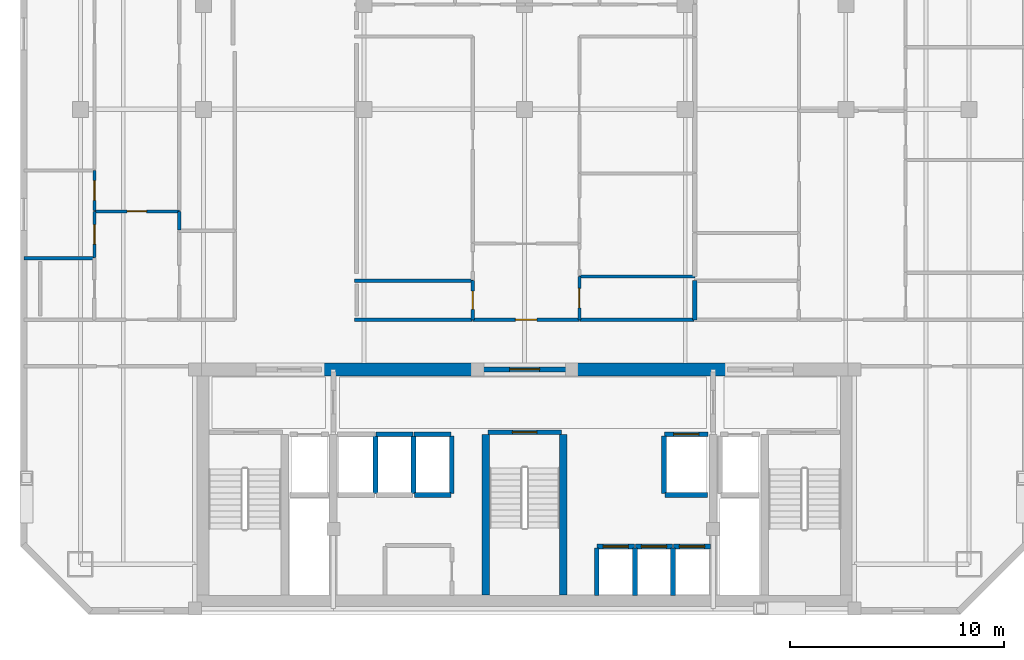
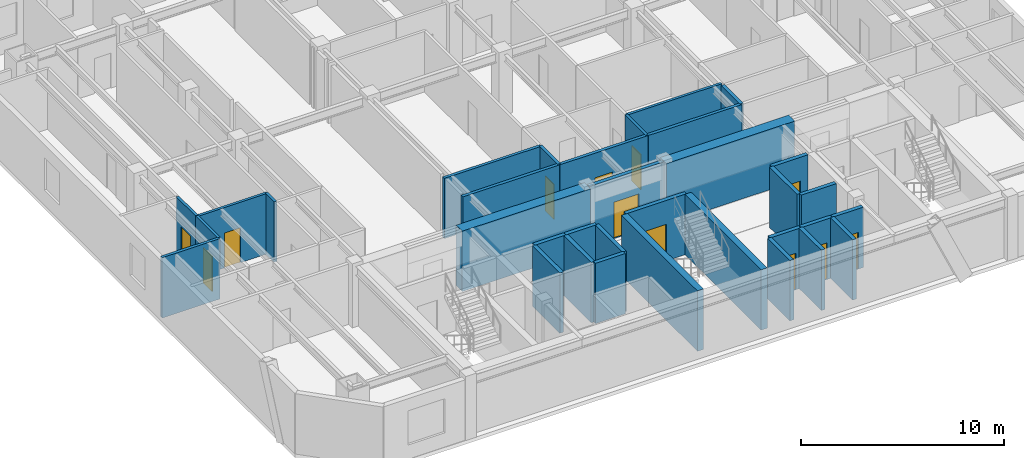
# One storey, part 3 of 8: 34 walls, 12 doors, 12 openings.
"""IFC4 building model written with IfcOpenShell, lengths in metres."""

from ifc_helpers import new_model, si_unit, direction, frame, frame_2d, origin, place, context, subcontext, project, spatial, rectangle, extrude, material, layer, layer_set, type_object, element, fill, save


model = new_model("IFC4")

# Units and contexts
model_context = context("Model", 3, precision=1e-05, world=origin(), true_north=direction((0.0, 1.0)))
body_context = subcontext(model_context, "Body", "Model", "MODEL_VIEW")
ifc_project = project(units=[si_unit("LENGTHUNIT", "METRE"), si_unit("AREAUNIT", "SQUARE_METRE"), si_unit("VOLUMEUNIT", "CUBIC_METRE"), si_unit("PLANEANGLEUNIT", "RADIAN"), si_unit("MASSUNIT", "GRAM", prefix="KILO")], contexts=[model_context])

# Site, building, storey
site_placement = place(None, origin())
site = spatial("IfcSite", under=ifc_project, at=site_placement, CompositionType="ELEMENT")
building_placement = place(site_placement, origin())
building = spatial("IfcBuilding", under=site, at=building_placement, Name="Ventersveld Concourse Tower", CompositionType="ELEMENT")
storey_placement = place(building_placement, frame((0.0, 0.0, 192.60009765625)))
storey = spatial("IfcBuildingStorey", under=building, at=storey_placement, Name="L47", CompositionType="ELEMENT", Elevation=192.60009765625)

# Walls
ifc_material_1 = material(Name="Concrete C50/60", Category="concrete")
ifc_layer_1 = layer(ifc_material_1, 0.35009765625)
ifc_layer_set_1 = layer_set([ifc_layer_1], Name="Concrete C50/60")
wall_type_1 = type_object("IfcWallType", Name="WL-CORE-350U", PredefinedType="SHEAR", material=ifc_layer_set_1)
for number, where, z_axis, x_axis, name in (
    (1, (26.93994140625, 0.919921875, 0.0), (0.0, 0.0, 1.0), (0.0, 1.0, 0.0), "L47 Core Internal Shear Web W-ST3-W"),
    (2, (30.56005859375, 0.919921875, 0.0), (0.0, 0.0, 1.0), (0.0, 1.0, 0.0), "L47 Core Internal Shear Web W-ST3-E"),
):
    element("IfcWall", number, at=place(storey_placement, frame(where, z_axis=z_axis, x_axis=x_axis)), inside=storey, type_object=wall_type_1, Name=name, PredefinedType="SHEAR", context=body_context, shape_type="SweptSolid", body=[
        extrude(rectangle(XDim=7.5, YDim=0.35009765625, at=frame_2d((3.75, 0.0))), origin(), (0.0, 0.0, 1.0), 3.6298828125),
    ])
ifc_layer_2 = layer(ifc_material_1, 0.60009765625)
ifc_layer_set_2 = layer_set([ifc_layer_2], Name="Concrete C50/60")
wall_type_2 = type_object("IfcWallType", Name="WL-CORE-600", PredefinedType="SHEAR", material=ifc_layer_set_2)
for number, where, z_axis, x_axis, name in (
    (3, (19.300048828125, 11.449951171875, 0.0), (0.0, 0.0, 1.0), (1.0, 0.0, 0.0), "L47 Rear Core North Shear Wall NML"),
    (4, (30.89990234375, 11.449951171875, 0.0), (0.0, 0.0, 1.0), (1.0, 0.0, 0.0), "L47 Rear Core North Shear Wall NMR"),
):
    element("IfcWall", number, at=place(storey_placement, frame(where, z_axis=z_axis, x_axis=x_axis)), inside=storey, type_object=wall_type_2, Name=name, PredefinedType="SHEAR", context=body_context, shape_type="SweptSolid", body=[
        extrude(rectangle(XDim=7.300048828125, YDim=0.60009765625, at=frame_2d((3.64990234375, 0.0))), origin(), (0.0, 0.0, 1.0), 3.6298828125),
    ])

# Wall, opening, door
ifc_material_2 = material(Name="Fire-rated autoclaved aerated masonry blockwork", Category="masonry")
ifc_layer_3 = layer(ifc_material_2, 0.179931640625)
ifc_layer_set_3 = layer_set([ifc_layer_3], Name="Fire-rated autoclaved aerated masonry blockwork")
wall_type_3 = type_object("IfcWallType", Name="WL-CORR-180", PredefinedType="PARTITIONING", material=ifc_layer_set_3)
wall_1_placement = place(storey_placement, frame((26.3203125, 13.77001953125, 0.0), z_axis=(0.0, 0.0, 1.0), x_axis=(1.0, 0.0, 0.0)))
wall_1 = element("IfcWall", 5, at=wall_1_placement, inside=storey, type_object=wall_type_3, Name="L47 Interior Partition SP-L47-COR-SP-L47-47CM-FOY", PredefinedType="PARTITIONING", context=body_context, shape_type="SweptSolid", body=[
    extrude(rectangle(XDim=4.989990234375, YDim=0.179931640625, at=frame_2d((2.4951171875, 0.0))), origin(), (0.0, 0.0, 1.0), 3.6298828125),
])
opening_1_placement = place(wall_1_placement, frame((1.9951171875, 0.0, 0.0)))
opening_1 = element("IfcOpeningElement", 6, at=opening_1_placement, cuts=wall_1, Name="Opening FD3", PredefinedType="OPENING", context=body_context, shape_type="SweptSolid", body=[
    extrude(rectangle(XDim=1.0, YDim=2.14990234375, at=frame_2d((0.5, 1.074951171875))), frame((0.0, 0.10009765625, 0.0), z_axis=(0.0, -1.0, 0.0), x_axis=(1.0, 0.0, 0.0)), (0.0, 0.0, 1.0), 0.199951171875),
])
ifc_material_3 = material(Name="Solid-core hardwood veneer timber", Category="wood")
door_type_1 = type_object("IfcDoorType", Name="DR-FLAT-100", OperationType="NOTDEFINED", PredefinedType="DOOR", material=ifc_material_3)
door_1_placement = place(opening_1_placement, origin())
door_1 = element("IfcDoor", 7, at=door_1_placement, inside=storey, type_object=door_type_1, Name="L47 Interior Door SP-L47-COR to SP-L47-47CM-FOY (FD-L47-2300)", OperationType="SINGLE_SWING_RIGHT", OverallHeight=2.14990234375, OverallWidth=1.0, PredefinedType="DOOR", context=body_context, shape_type="SweptSolid", body=[
    extrude(rectangle(XDim=1.0, YDim=2.14990234375, at=frame_2d((0.5, 1.074951171875))), frame((0.0, 0.02490234375, 0.0), z_axis=(0.0, -1.0, 0.0), x_axis=(1.0, 0.0, 0.0)), (0.0, 0.0, 1.0), 0.050048828125),
])
fill(opening_1, door_1)

# Walls
wall_2_placement = place(storey_placement, frame((20.804931640625, 13.77001953125, 0.0), z_axis=(0.0, 0.0, 1.0), x_axis=(1.0, 0.0, 0.0)))
element("IfcWall", 8, at=wall_2_placement, inside=storey, type_object=wall_type_3, Name="L47 Interior Partition SP-L47-COR-SP-L47-47CM-BATH", PredefinedType="PARTITIONING", context=body_context, shape_type="SweptSolid", body=[
    extrude(rectangle(XDim=5.4853515625, YDim=0.179931640625, at=frame_2d((2.74267578125, 0.0))), origin(), (0.0, 0.0, 1.0), 3.6298828125),
])
wall_3_placement = place(storey_placement, frame((31.34033203125, 13.77001953125, 0.0), z_axis=(0.0, 0.0, 1.0), x_axis=(1.0, 0.0, 0.0)))
element("IfcWall", 9, at=wall_3_placement, inside=storey, type_object=wall_type_3, Name="L47 Interior Partition SP-L47-COR-SP-L47-47CM-KIT", PredefinedType="PARTITIONING", context=body_context, shape_type="SweptSolid", body=[
    extrude(rectangle(XDim=5.314697265625, YDim=0.179931640625, at=frame_2d((2.6572265625, 0.0))), origin(), (0.0, 0.0, 1.0), 3.6298828125),
])
ifc_layer_4 = layer(ifc_material_2, 0.199951171875)
ifc_layer_set_4 = layer_set([ifc_layer_4], Name="Fire-rated autoclaved aerated masonry blockwork")
wall_type_4 = type_object("IfcWallType", Name="WL-DEMISE-200", PredefinedType="PARTITIONING", material=ifc_layer_set_4)
wall_4_placement = place(storey_placement, frame((36.68994140625, 13.764892578125, 0.0), z_axis=(0.0, 0.0, 1.0), x_axis=(0.0, 1.0, 0.0)))
element("IfcWall", 10, at=wall_4_placement, inside=storey, type_object=wall_type_4, Name="L47 Interior Partition SP-L47-47CE-BATH-SP-L47-47CM-KIT", PredefinedType="PARTITIONING", context=body_context, shape_type="SweptSolid", body=[
    extrude(rectangle(XDim=1.840087890625, YDim=0.199951171875, at=frame_2d((0.919921875, 0.0))), origin(), (0.0, 0.0, 1.0), 3.6298828125),
])
ifc_layer_5 = layer(ifc_material_2, 0.219970703125)
ifc_layer_set_5 = layer_set([ifc_layer_5], Name="Fire-rated autoclaved aerated masonry blockwork")
wall_type_5 = type_object("IfcWallType", Name="WL-HOIST-220", PredefinedType="SOLIDWALL", material=ifc_layer_set_5)
wall_5_placement = place(storey_placement, frame((35.300048828125, 5.590087890625, 0.0), z_axis=(0.0, 0.0, 1.0), x_axis=(1.0, 0.0, 0.0)))
element("IfcWall", 11, at=wall_5_placement, inside=storey, type_object=wall_type_5, Name="L47 Lift Hoistway Back Wall SVL-01", PredefinedType="SOLIDWALL", context=body_context, shape_type="SweptSolid", body=[
    extrude(rectangle(XDim=2.0, YDim=0.219970703125, at=frame_2d((1.0, 0.0))), origin(), (0.0, 0.0, 1.0), 3.6298828125),
])
wall_6_placement = place(storey_placement, frame((35.260009765625, 5.64990234375, 0.0), z_axis=(0.0, 0.0, 1.0), x_axis=(0.0, 1.0, 0.0)))
element("IfcWall", 12, at=wall_6_placement, inside=storey, type_object=wall_type_5, Name="L47 Lift Hoistway Side Wall SVL-01W", PredefinedType="SOLIDWALL", context=body_context, shape_type="SweptSolid", body=[
    extrude(rectangle(XDim=2.7001953125, YDim=0.219970703125, at=frame_2d((1.35009765625, 0.0))), origin(), (0.0, 0.0, 1.0), 3.6298828125),
])

# Wall, opening, door
wall_7_placement = place(storey_placement, frame((35.280029296875, 8.429931640625, 0.0), z_axis=(0.0, 0.0, 1.0), x_axis=(1.0, 0.0, 0.0)))
wall_7 = element("IfcWall", 13, at=wall_7_placement, inside=storey, type_object=wall_type_5, Name="L47 Lift Hoistway Front Wall SVL-01", PredefinedType="SOLIDWALL", context=body_context, shape_type="SweptSolid", body=[
    extrude(rectangle(XDim=2.0400390625, YDim=0.219970703125, at=frame_2d((1.02001953125, 0.0))), origin(), (0.0, 0.0, 1.0), 3.6298828125),
])
opening_2_placement = place(wall_7_placement, frame((0.429931640625, 0.0, 0.0)))
opening_2 = element("IfcOpeningElement", 14, at=opening_2_placement, cuts=wall_7, Name="Opening LD2", PredefinedType="OPENING", context=body_context, shape_type="SweptSolid", body=[
    extrude(rectangle(XDim=1.179931640625, YDim=2.199951171875, at=frame_2d((0.58984375, 1.10009765625))), frame((0.0, 0.1201171875, 0.0), z_axis=(0.0, -1.0, 0.0), x_axis=(1.0, 0.0, 0.0)), (0.0, 0.0, 1.0), 0.239990234375),
])
ifc_material_4 = material(Name="Brushed stainless steel 316", Category="steel")
door_type_2 = type_object("IfcDoorType", Name="LD-PAX-118", OperationType="SLIDING_TO_LEFT", PredefinedType="DOOR", material=ifc_material_4)
door_2_placement = place(opening_2_placement, origin())
door_2 = element("IfcDoor", 15, at=door_2_placement, inside=storey, type_object=door_type_2, Name="L47 Lift landing door SVL-01 (LD-L47-SVL-01)", OperationType="SLIDING_TO_LEFT", OverallHeight=2.199951171875, OverallWidth=1.179931640625, PredefinedType="DOOR", context=body_context, shape_type="SweptSolid", body=[
    extrude(rectangle(XDim=1.179931640625, YDim=2.199951171875, at=frame_2d((0.58984375, 1.10009765625))), frame((0.0, 0.02490234375, 0.0), z_axis=(0.0, -1.0, 0.0), x_axis=(1.0, 0.0, 0.0)), (0.0, 0.0, 1.0), 0.050048828125),
])
fill(opening_2, door_2)

# Walls
for number, where, z_axis, x_axis, name in (
    (16, (32.1201171875, 0.89990234375, 0.0), (0.0, 0.0, 1.0), (0.0, 1.0, 0.0), "L47 Lift Hoistway Side Wall PM-01W"),
    (17, (33.89990234375, 0.89990234375, 0.0), (0.0, 0.0, 1.0), (0.0, 1.0, 0.0), "L47 Lift Hoistway Side Wall PM-01E"),
):
    element("IfcWall", number, at=place(storey_placement, frame(where, z_axis=z_axis, x_axis=x_axis)), inside=storey, type_object=wall_type_5, Name=name, PredefinedType="SOLIDWALL", context=body_context, shape_type="SweptSolid", body=[
        extrude(rectangle(XDim=2.2001953125, YDim=0.219970703125, at=frame_2d((1.10009765625, 0.0))), origin(), (0.0, 0.0, 1.0), 3.6298828125),
    ])

# Wall, opening, door
wall_8_placement = place(storey_placement, frame((32.139892578125, 3.179931640625, 0.0), z_axis=(0.0, 0.0, 1.0), x_axis=(1.0, 0.0, 0.0)))
wall_8 = element("IfcWall", 18, at=wall_8_placement, inside=storey, type_object=wall_type_5, Name="L47 Lift Hoistway Front Wall PM-01", PredefinedType="SOLIDWALL", context=body_context, shape_type="SweptSolid", body=[
    extrude(rectangle(XDim=1.739990234375, YDim=0.219970703125, at=frame_2d((0.8701171875, 0.0))), origin(), (0.0, 0.0, 1.0), 3.6298828125),
])
opening_3_placement = place(wall_8_placement, frame((0.280029296875, 0.0, 0.0)))
opening_3 = element("IfcOpeningElement", 19, at=opening_3_placement, cuts=wall_8, Name="Opening LD2", PredefinedType="OPENING", context=body_context, shape_type="SweptSolid", body=[
    extrude(rectangle(XDim=1.179931640625, YDim=2.199951171875, at=frame_2d((0.58984375, 1.10009765625))), frame((0.0, 0.1201171875, 0.0), z_axis=(0.0, -1.0, 0.0), x_axis=(1.0, 0.0, 0.0)), (0.0, 0.0, 1.0), 0.239990234375),
])
door_3_placement = place(opening_3_placement, origin())
door_3 = element("IfcDoor", 20, at=door_3_placement, inside=storey, type_object=door_type_2, Name="L47 Lift landing door PM-01 (LD-L47-PM-01)", OperationType="SLIDING_TO_RIGHT", OverallHeight=2.199951171875, OverallWidth=1.179931640625, PredefinedType="DOOR", context=body_context, shape_type="SweptSolid", body=[
    extrude(rectangle(XDim=1.179931640625, YDim=2.199951171875, at=frame_2d((0.58984375, 1.10009765625))), frame((0.0, 0.02490234375, 0.0), z_axis=(0.0, -1.0, 0.0), x_axis=(1.0, 0.0, 0.0)), (0.0, 0.0, 1.0), 0.050048828125),
])
fill(opening_3, door_3)

# Wall
wall_9_placement = place(storey_placement, frame((35.679931640625, 0.89990234375, 0.0), z_axis=(0.0, 0.0, 1.0), x_axis=(0.0, 1.0, 0.0)))
element("IfcWall", 21, at=wall_9_placement, inside=storey, type_object=wall_type_5, Name="L47 Lift Hoistway Side Wall PM-02E", PredefinedType="SOLIDWALL", context=body_context, shape_type="SweptSolid", body=[
    extrude(rectangle(XDim=2.2001953125, YDim=0.219970703125, at=frame_2d((1.10009765625, 0.0))), origin(), (0.0, 0.0, 1.0), 3.6298828125),
])

# Wall, opening, door
wall_10_placement = place(storey_placement, frame((33.919921875, 3.179931640625, 0.0), z_axis=(0.0, 0.0, 1.0), x_axis=(1.0, 0.0, 0.0)))
wall_10 = element("IfcWall", 22, at=wall_10_placement, inside=storey, type_object=wall_type_5, Name="L47 Lift Hoistway Front Wall PM-02", PredefinedType="SOLIDWALL", context=body_context, shape_type="SweptSolid", body=[
    extrude(rectangle(XDim=1.739990234375, YDim=0.219970703125, at=frame_2d((0.8701171875, 0.0))), origin(), (0.0, 0.0, 1.0), 3.6298828125),
])
opening_4_placement = place(wall_10_placement, frame((0.280029296875, 0.0, 0.0)))
opening_4 = element("IfcOpeningElement", 23, at=opening_4_placement, cuts=wall_10, Name="Opening LD2", PredefinedType="OPENING", context=body_context, shape_type="SweptSolid", body=[
    extrude(rectangle(XDim=1.179931640625, YDim=2.199951171875, at=frame_2d((0.58984375, 1.10009765625))), frame((0.0, 0.1201171875, 0.0), z_axis=(0.0, -1.0, 0.0), x_axis=(1.0, 0.0, 0.0)), (0.0, 0.0, 1.0), 0.239990234375),
])
door_4_placement = place(opening_4_placement, origin())
door_4 = element("IfcDoor", 24, at=door_4_placement, inside=storey, type_object=door_type_2, Name="L47 Lift landing door PM-02 (LD-L47-PM-02)", OperationType="SLIDING_TO_LEFT", OverallHeight=2.199951171875, OverallWidth=1.179931640625, PredefinedType="DOOR", context=body_context, shape_type="SweptSolid", body=[
    extrude(rectangle(XDim=1.179931640625, YDim=2.199951171875, at=frame_2d((0.58984375, 1.10009765625))), frame((0.0, 0.02490234375, 0.0), z_axis=(0.0, -1.0, 0.0), x_axis=(1.0, 0.0, 0.0)), (0.0, 0.0, 1.0), 0.050048828125),
])
fill(opening_4, door_4)

wall_11_placement = place(storey_placement, frame((35.699951171875, 3.179931640625, 0.0), z_axis=(0.0, 0.0, 1.0), x_axis=(1.0, 0.0, 0.0)))
wall_11 = element("IfcWall", 25, at=wall_11_placement, inside=storey, type_object=wall_type_5, Name="L47 Lift Hoistway Front Wall PM-03", PredefinedType="SOLIDWALL", context=body_context, shape_type="SweptSolid", body=[
    extrude(rectangle(XDim=1.739990234375, YDim=0.219970703125, at=frame_2d((0.8701171875, 0.0))), origin(), (0.0, 0.0, 1.0), 3.6298828125),
])
opening_5_placement = place(wall_11_placement, frame((0.280029296875, 0.0, 0.0)))
opening_5 = element("IfcOpeningElement", 26, at=opening_5_placement, cuts=wall_11, Name="Opening LD2", PredefinedType="OPENING", context=body_context, shape_type="SweptSolid", body=[
    extrude(rectangle(XDim=1.179931640625, YDim=2.199951171875, at=frame_2d((0.58984375, 1.10009765625))), frame((0.0, 0.1201171875, 0.0), z_axis=(0.0, -1.0, 0.0), x_axis=(1.0, 0.0, 0.0)), (0.0, 0.0, 1.0), 0.239990234375),
])
door_5_placement = place(opening_5_placement, origin())
door_5 = element("IfcDoor", 27, at=door_5_placement, inside=storey, type_object=door_type_2, Name="L47 Lift landing door PM-03 (LD-L47-PM-03)", OperationType="SLIDING_TO_RIGHT", OverallHeight=2.199951171875, OverallWidth=1.179931640625, PredefinedType="DOOR", context=body_context, shape_type="SweptSolid", body=[
    extrude(rectangle(XDim=1.179931640625, YDim=2.199951171875, at=frame_2d((0.58984375, 1.10009765625))), frame((0.0, 0.02490234375, 0.0), z_axis=(0.0, -1.0, 0.0), x_axis=(1.0, 0.0, 0.0)), (0.0, 0.0, 1.0), 0.050048828125),
])
fill(opening_5, door_5)

# Walls
for number, where, z_axis, x_axis, name in (
    (28, (21.780029296875, 5.64990234375, 0.0), (0.0, 0.0, 1.0), (0.0, 1.0, 0.0), "L47 Lift Hoistway Side Wall PH-01E"),
    (29, (23.56005859375, 5.64990234375, 0.0), (0.0, 0.0, 1.0), (0.0, 1.0, 0.0), "L47 Lift Hoistway Side Wall PH-02E"),
):
    element("IfcWall", number, at=place(storey_placement, frame(where, z_axis=z_axis, x_axis=x_axis)), inside=storey, type_object=wall_type_5, Name=name, PredefinedType="SOLIDWALL", context=body_context, shape_type="SweptSolid", body=[
        extrude(rectangle(XDim=2.7001953125, YDim=0.219970703125, at=frame_2d((1.35009765625, 0.0))), origin(), (0.0, 0.0, 1.0), 3.6298828125),
    ])
wall_12_placement = place(storey_placement, frame((21.800048828125, 8.429931640625, 0.0), z_axis=(0.0, 0.0, 1.0), x_axis=(1.0, 0.0, 0.0)))
element("IfcWall", 30, at=wall_12_placement, inside=storey, type_object=wall_type_5, Name="L47 Lift Hoistway Front Wall PH-02", PredefinedType="SOLIDWALL", context=body_context, shape_type="SweptSolid", body=[
    extrude(rectangle(XDim=1.739990234375, YDim=0.219970703125, at=frame_2d((0.8701171875, 0.0))), origin(), (0.0, 0.0, 1.0), 3.6298828125),
])
wall_13_placement = place(storey_placement, frame((23.60009765625, 5.590087890625, 0.0), z_axis=(0.0, 0.0, 1.0), x_axis=(1.0, 0.0, 0.0)))
element("IfcWall", 31, at=wall_13_placement, inside=storey, type_object=wall_type_5, Name="L47 Lift Hoistway Back Wall PH-03", PredefinedType="SOLIDWALL", context=body_context, shape_type="SweptSolid", body=[
    extrude(rectangle(XDim=1.699951171875, YDim=0.219970703125, at=frame_2d((0.85009765625, 0.0))), origin(), (0.0, 0.0, 1.0), 3.6298828125),
])
wall_14_placement = place(storey_placement, frame((25.340087890625, 5.64990234375, 0.0), z_axis=(0.0, 0.0, 1.0), x_axis=(0.0, 1.0, 0.0)))
element("IfcWall", 32, at=wall_14_placement, inside=storey, type_object=wall_type_5, Name="L47 Lift Hoistway Side Wall PH-03E", PredefinedType="SOLIDWALL", context=body_context, shape_type="SweptSolid", body=[
    extrude(rectangle(XDim=2.7001953125, YDim=0.219970703125, at=frame_2d((1.35009765625, 0.0))), origin(), (0.0, 0.0, 1.0), 3.6298828125),
])
wall_15_placement = place(storey_placement, frame((23.580078125, 8.429931640625, 0.0), z_axis=(0.0, 0.0, 1.0), x_axis=(1.0, 0.0, 0.0)))
element("IfcWall", 33, at=wall_15_placement, inside=storey, type_object=wall_type_5, Name="L47 Lift Hoistway Front Wall PH-03", PredefinedType="SOLIDWALL", context=body_context, shape_type="SweptSolid", body=[
    extrude(rectangle(XDim=1.739990234375, YDim=0.219970703125, at=frame_2d((0.8701171875, 0.0))), origin(), (0.0, 0.0, 1.0), 3.6298828125),
])

# Wall, opening, door
wall_16_placement = place(storey_placement, frame((27.0400390625, 8.52001953125, 0.0), z_axis=(0.0, 0.0, 1.0), x_axis=(1.0, 0.0, 0.0)))
wall_16 = element("IfcWall", 34, at=wall_16_placement, inside=storey, type_object=wall_type_5, Name="L47 Escape Stair ST03 Fire Wall", PredefinedType="SOLIDWALL", context=body_context, shape_type="SweptSolid", body=[
    extrude(rectangle(XDim=3.419921875, YDim=0.219970703125, at=frame_2d((1.7099609375, 0.0))), origin(), (0.0, 0.0, 1.0), 3.6298828125),
])
opening_6_placement = place(wall_16_placement, frame((1.135009765625, 0.0, 0.0)))
opening_6 = element("IfcOpeningElement", 35, at=opening_6_placement, cuts=wall_16, Name="Opening FD1", PredefinedType="OPENING", context=body_context, shape_type="SweptSolid", body=[
    extrude(rectangle(XDim=1.14990234375, YDim=2.199951171875, at=frame_2d((0.574951171875, 1.10009765625))), frame((0.0, 0.1201171875, 0.0), z_axis=(0.0, -1.0, 0.0), x_axis=(1.0, 0.0, 0.0)), (0.0, 0.0, 1.0), 0.239990234375),
])
ifc_material_5 = material(Name="Galvanised painted steel", Category="steel")
door_type_3 = type_object("IfcDoorType", Name="DR-STAIR-115", OperationType="NOTDEFINED", PredefinedType="DOOR", material=ifc_material_5)
door_6_placement = place(opening_6_placement, origin())
door_6 = element("IfcDoor", 36, at=door_6_placement, inside=storey, type_object=door_type_3, Name="L47 Escape Stair Door ST03 (SD-L47-2289)", OperationType="SINGLE_SWING_LEFT", OverallHeight=2.199951171875, OverallWidth=1.14990234375, PredefinedType="DOOR", context=body_context, shape_type="SweptSolid", body=[
    extrude(rectangle(XDim=1.14990234375, YDim=2.199951171875, at=frame_2d((0.574951171875, 1.10009765625))), frame((0.0, 0.02490234375, 0.0), z_axis=(0.0, -1.0, 0.0), x_axis=(1.0, 0.0, 0.0)), (0.0, 0.0, 1.0), 0.050048828125),
])
fill(opening_6, door_6)

wall_17_placement = place(storey_placement, frame((26.6298828125, 11.449951171875, 0.0), z_axis=(0.0, 0.0, 1.0), x_axis=(1.0, 0.0, 0.0)))
wall_17 = element("IfcWall", 37, at=wall_17_placement, inside=storey, type_object=wall_type_5, Name="L47 Core North Fire Portal PLOB-OUT", PredefinedType="SOLIDWALL", context=body_context, shape_type="SweptSolid", body=[
    extrude(rectangle(XDim=4.240234375, YDim=0.219970703125, at=frame_2d((2.1201171875, 0.0))), origin(), (0.0, 0.0, 1.0), 3.6298828125),
])
opening_7_placement = place(wall_17_placement, frame((1.419921875, 0.0, 0.0)))
opening_7 = element("IfcOpeningElement", 38, at=opening_7_placement, cuts=wall_17, Name="Opening FD4", PredefinedType="OPENING", context=body_context, shape_type="SweptSolid", body=[
    extrude(rectangle(XDim=1.39990234375, YDim=2.199951171875, at=frame_2d((0.699951171875, 1.10009765625))), frame((0.0, 0.1201171875, 0.0), z_axis=(0.0, -1.0, 0.0), x_axis=(1.0, 0.0, 0.0)), (0.0, 0.0, 1.0), 0.239990234375),
])
door_type_4 = type_object("IfcDoorType", Name="DR-PLANT-140", OperationType="DOUBLE_DOOR_SINGLE_SWING", PredefinedType="DOOR", material=ifc_material_5)
door_7_placement = place(opening_7_placement, origin())
door_7 = element("IfcDoor", 39, at=door_7_placement, inside=storey, type_object=door_type_4, Name="L47 Core Lobby Fire Door PLOB-OUT (FD-L47-2293)", OperationType="DOUBLE_DOOR_SINGLE_SWING", OverallHeight=2.199951171875, OverallWidth=1.39990234375, PredefinedType="DOOR", context=body_context, shape_type="SweptSolid", body=[
    extrude(rectangle(XDim=1.39990234375, YDim=2.199951171875, at=frame_2d((0.699951171875, 1.10009765625))), frame((0.0, 0.02490234375, 0.0), z_axis=(0.0, -1.0, 0.0), x_axis=(1.0, 0.0, 0.0)), (0.0, 0.0, 1.0), 0.050048828125),
])
fill(opening_7, door_7)

ifc_material_6 = material(Name="Autoclaved aerated masonry blockwork", Category="masonry")
ifc_layer_6 = layer(ifc_material_6, 0.14990234375)
ifc_layer_set_6 = layer_set([ifc_layer_6], Name="Autoclaved aerated masonry blockwork")
wall_type_6 = type_object("IfcWallType", Name="WL-INT-150", PredefinedType="PARTITIONING", material=ifc_layer_set_6)
wall_18_placement = place(storey_placement, frame((8.65380859375, 18.83349609375, 0.0), z_axis=(0.0, 0.0, 1.0), x_axis=(1.0, 0.0, 0.0)))
wall_18 = element("IfcWall", 40, at=wall_18_placement, inside=storey, type_object=wall_type_6, Name="L47 Interior Partition SP-L47-47NW-FOY-SP-L47-47NW-LIV", PredefinedType="PARTITIONING", context=body_context, shape_type="SweptSolid", body=[
    extrude(rectangle(XDim=3.969970703125, YDim=0.14990234375, at=frame_2d((1.98486328125, 0.0))), origin(), (0.0, 0.0, 1.0), 3.6298828125),
])
opening_8_placement = place(wall_18_placement, frame((1.52490234375, 0.0, 0.0)))
opening_8 = element("IfcOpeningElement", 41, at=opening_8_placement, cuts=wall_18, Name="Opening ID1", PredefinedType="OPENING", context=body_context, shape_type="SweptSolid", body=[
    extrude(rectangle(XDim=0.919921875, YDim=2.10009765625, at=frame_2d((0.4599609375, 1.050048828125))), frame((0.0, 0.0849609375, 0.0), z_axis=(0.0, -1.0, 0.0), x_axis=(1.0, 0.0, 0.0)), (0.0, 0.0, 1.0), 0.169921875),
])
door_type_5 = type_object("IfcDoorType", Name="DR-ROOM-092", OperationType="NOTDEFINED", PredefinedType="DOOR", material=ifc_material_3)
door_8_placement = place(opening_8_placement, origin())
door_8 = element("IfcDoor", 42, at=door_8_placement, inside=storey, type_object=door_type_5, Name="L47 Interior Door SP-L47-47NW-FOY to SP-L47-47NW-LIV (D-L47-2301)", OperationType="SINGLE_SWING_LEFT", OverallHeight=2.10009765625, OverallWidth=0.919921875, PredefinedType="DOOR", context=body_context, shape_type="SweptSolid", body=[
    extrude(rectangle(XDim=0.919921875, YDim=2.10009765625, at=frame_2d((0.4599609375, 1.050048828125))), frame((0.0, 0.02490234375, 0.0), z_axis=(0.0, -1.0, 0.0), x_axis=(1.0, 0.0, 0.0)), (0.0, 0.0, 1.0), 0.050048828125),
])
fill(opening_8, door_8)

wall_19_placement = place(storey_placement, frame((8.65869140625, 16.680419921875, 0.0), z_axis=(0.0, 0.0, 1.0), x_axis=(0.0, 1.0, 0.0)))
wall_19 = element("IfcWall", 43, at=wall_19_placement, inside=storey, type_object=wall_type_6, Name="L47 Interior Partition SP-L47-47NW-FOY-SP-L47-47NW-PANL0", PredefinedType="PARTITIONING", context=body_context, shape_type="SweptSolid", body=[
    extrude(rectangle(XDim=2.157958984375, YDim=0.14990234375, at=frame_2d((1.0791015625, 0.0))), origin(), (0.0, 0.0, 1.0), 3.6298828125),
])
opening_9_placement = place(wall_19_placement, frame((0.618896484375, 0.0, 0.0)))
opening_9 = element("IfcOpeningElement", 44, at=opening_9_placement, cuts=wall_19, Name="Opening ID1", PredefinedType="OPENING", context=body_context, shape_type="SweptSolid", body=[
    extrude(rectangle(XDim=0.919921875, YDim=2.10009765625, at=frame_2d((0.4599609375, 1.050048828125))), frame((0.0, 0.0849609375, 0.0), z_axis=(0.0, -1.0, 0.0), x_axis=(1.0, 0.0, 0.0)), (0.0, 0.0, 1.0), 0.169921875),
])
door_9_placement = place(opening_9_placement, origin())
door_9 = element("IfcDoor", 45, at=door_9_placement, inside=storey, type_object=door_type_5, Name="L47 Interior Door SP-L47-47NW-FOY to SP-L47-47NW-PANL0 (D-L47-2303)", OperationType="SINGLE_SWING_LEFT", OverallHeight=2.10009765625, OverallWidth=0.919921875, PredefinedType="DOOR", context=body_context, shape_type="SweptSolid", body=[
    extrude(rectangle(XDim=0.919921875, YDim=2.10009765625, at=frame_2d((0.4599609375, 1.050048828125))), frame((0.0, 0.02490234375, 0.0), z_axis=(0.0, -1.0, 0.0), x_axis=(1.0, 0.0, 0.0)), (0.0, 0.0, 1.0), 0.050048828125),
])
fill(opening_9, door_9)

# Wall
wall_20_placement = place(storey_placement, frame((12.61865234375, 17.96630859375, 0.0), z_axis=(0.0, 0.0, 1.0), x_axis=(0.0, 1.0, 0.0)))
element("IfcWall", 46, at=wall_20_placement, inside=storey, type_object=wall_type_6, Name="L47 Interior Partition SP-L47-47NW-FOY-SP-L47-47NW-MEDR1", PredefinedType="PARTITIONING", context=body_context, shape_type="SweptSolid", body=[
    extrude(rectangle(XDim=0.8720703125, YDim=0.14990234375, at=frame_2d((0.43603515625, 0.0))), origin(), (0.0, 0.0, 1.0), 3.6298828125),
])

# Wall, opening, door
wall_21_placement = place(storey_placement, frame((8.65869140625, 18.868408203125, 0.0), z_axis=(0.0, 0.0, 1.0), x_axis=(0.0, 1.0, 0.0)))
wall_21 = element("IfcWall", 47, at=wall_21_placement, inside=storey, type_object=wall_type_6, Name="L47 Interior Partition SP-L47-47NW-LIV-SP-L47-47NW-PANL0", PredefinedType="PARTITIONING", context=body_context, shape_type="SweptSolid", body=[
    extrude(rectangle(XDim=1.88232421875, YDim=0.14990234375, at=frame_2d((0.941162109375, 0.0))), origin(), (0.0, 0.0, 1.0), 3.6298828125),
])
opening_10_placement = place(wall_21_placement, frame((0.481201171875, 0.0, 0.0)))
opening_10 = element("IfcOpeningElement", 48, at=opening_10_placement, cuts=wall_21, Name="Opening ID1", PredefinedType="OPENING", context=body_context, shape_type="SweptSolid", body=[
    extrude(rectangle(XDim=0.919921875, YDim=2.10009765625, at=frame_2d((0.4599609375, 1.050048828125))), frame((0.0, 0.0849609375, 0.0), z_axis=(0.0, -1.0, 0.0), x_axis=(1.0, 0.0, 0.0)), (0.0, 0.0, 1.0), 0.169921875),
])
door_10_placement = place(opening_10_placement, origin())
door_10 = element("IfcDoor", 49, at=door_10_placement, inside=storey, type_object=door_type_5, Name="L47 Interior Door SP-L47-47NW-LIV to SP-L47-47NW-PANL0 (D-L47-2305)", OperationType="SINGLE_SWING_LEFT", OverallHeight=2.10009765625, OverallWidth=0.919921875, PredefinedType="DOOR", context=body_context, shape_type="SweptSolid", body=[
    extrude(rectangle(XDim=0.919921875, YDim=2.10009765625, at=frame_2d((0.4599609375, 1.050048828125))), frame((0.0, 0.02490234375, 0.0), z_axis=(0.0, -1.0, 0.0), x_axis=(1.0, 0.0, 0.0)), (0.0, 0.0, 1.0), 0.050048828125),
])
fill(opening_10, door_10)

wall_22_placement = place(storey_placement, frame((31.305419921875, 13.764892578125, 0.0), z_axis=(0.0, 0.0, 1.0), x_axis=(0.0, 1.0, 0.0)))
wall_22 = element("IfcWall", 50, at=wall_22_placement, inside=storey, type_object=wall_type_6, Name="L47 Interior Partition SP-L47-47CM-FOY-SP-L47-47CM-KIT", PredefinedType="PARTITIONING", context=body_context, shape_type="SweptSolid", body=[
    extrude(rectangle(XDim=2.03466796875, YDim=0.14990234375, at=frame_2d((1.017333984375, 0.0))), origin(), (0.0, 0.0, 1.0), 3.6298828125),
])
opening_11_placement = place(wall_22_placement, frame((0.55712890625, 0.0, 0.0)))
opening_11 = element("IfcOpeningElement", 51, at=opening_11_placement, cuts=wall_22, Name="Opening ID1", PredefinedType="OPENING", context=body_context, shape_type="SweptSolid", body=[
    extrude(rectangle(XDim=0.919921875, YDim=2.10009765625, at=frame_2d((0.4599609375, 1.050048828125))), frame((0.0, 0.0849609375, 0.0), z_axis=(0.0, -1.0, 0.0), x_axis=(1.0, 0.0, 0.0)), (0.0, 0.0, 1.0), 0.169921875),
])
door_11_placement = place(opening_11_placement, origin())
door_11 = element("IfcDoor", 52, at=door_11_placement, inside=storey, type_object=door_type_5, Name="L47 Interior Door SP-L47-47CM-FOY to SP-L47-47CM-KIT (D-L47-2325)", OperationType="SINGLE_SWING_LEFT", OverallHeight=2.10009765625, OverallWidth=0.919921875, PredefinedType="DOOR", context=body_context, shape_type="SweptSolid", body=[
    extrude(rectangle(XDim=0.919921875, YDim=2.10009765625, at=frame_2d((0.4599609375, 1.050048828125))), frame((0.0, 0.02490234375, 0.0), z_axis=(0.0, -1.0, 0.0), x_axis=(1.0, 0.0, 0.0)), (0.0, 0.0, 1.0), 0.050048828125),
])
fill(opening_11, door_11)

# Walls
wall_23_placement = place(storey_placement, frame((31.30029296875, 15.79443359375, 0.0), z_axis=(0.0, 0.0, 1.0), x_axis=(1.0, 0.0, 0.0)))
element("IfcWall", 53, at=wall_23_placement, inside=storey, type_object=wall_type_6, Name="L47 Interior Partition SP-L47-47CM-KIT-SP-L47-47CM-DENR", PredefinedType="PARTITIONING", context=body_context, shape_type="SweptSolid", body=[
    extrude(rectangle(XDim=5.394775390625, YDim=0.14990234375, at=frame_2d((2.697265625, 0.0))), origin(), (0.0, 0.0, 1.0), 3.6298828125),
])
ifc_layer_7 = layer(ifc_material_6, 0.1650390625)
ifc_layer_set_7 = layer_set([ifc_layer_7], Name="Autoclaved aerated masonry blockwork")
wall_type_7 = type_object("IfcWallType", Name="WL-WET-165", PredefinedType="PLUMBINGWALL", material=ifc_layer_set_7)
wall_24_placement = place(storey_placement, frame((5.37255859375, 16.645263671875, 0.0), z_axis=(0.0, 0.0, 1.0), x_axis=(1.0, 0.0, 0.0)))
element("IfcWall", 54, at=wall_24_placement, inside=storey, type_object=wall_type_7, Name="L47 Interior Partition SP-L47-47NW-BATH-SP-L47-47NW-PANL0", PredefinedType="PLUMBINGWALL", context=body_context, shape_type="SweptSolid", body=[
    extrude(rectangle(XDim=3.291259765625, YDim=0.1650390625, at=frame_2d((1.6455078125, 0.0))), origin(), (0.0, 0.0, 1.0), 3.6298828125),
])

# Wall, opening, door
wall_25_placement = place(storey_placement, frame((26.3251953125, 13.764892578125, 0.0), z_axis=(0.0, 0.0, 1.0), x_axis=(0.0, 1.0, 0.0)))
wall_25 = element("IfcWall", 55, at=wall_25_placement, inside=storey, type_object=wall_type_7, Name="L47 Interior Partition SP-L47-47CM-FOY-SP-L47-47CM-BATH", PredefinedType="PLUMBINGWALL", context=body_context, shape_type="SweptSolid", body=[
    extrude(rectangle(XDim=1.840087890625, YDim=0.1650390625, at=frame_2d((0.919921875, 0.0))), origin(), (0.0, 0.0, 1.0), 3.6298828125),
])
opening_12_placement = place(wall_25_placement, frame((0.4951171875, 0.0, 0.0)))
opening_12 = element("IfcOpeningElement", 56, at=opening_12_placement, cuts=wall_25, Name="Opening ID2", PredefinedType="OPENING", context=body_context, shape_type="SweptSolid", body=[
    extrude(rectangle(XDim=0.85009765625, YDim=2.10009765625, at=frame_2d((0.425048828125, 1.050048828125))), frame((0.0, 0.092529296875, 0.0), z_axis=(0.0, -1.0, 0.0), x_axis=(1.0, 0.0, 0.0)), (0.0, 0.0, 1.0), 0.18505859375),
])
door_type_6 = type_object("IfcDoorType", Name="DR-BATH-085", OperationType="NOTDEFINED", PredefinedType="DOOR", material=ifc_material_3)
door_12_placement = place(opening_12_placement, origin())
door_12 = element("IfcDoor", 57, at=door_12_placement, inside=storey, type_object=door_type_6, Name="L47 Interior Door SP-L47-47CM-FOY to SP-L47-47CM-BATH (D-L47-2323)", OperationType="SINGLE_SWING_LEFT", OverallHeight=2.10009765625, OverallWidth=0.85009765625, PredefinedType="DOOR", context=body_context, shape_type="SweptSolid", body=[
    extrude(rectangle(XDim=0.85009765625, YDim=2.10009765625, at=frame_2d((0.425048828125, 1.050048828125))), frame((0.0, 0.02490234375, 0.0), z_axis=(0.0, -1.0, 0.0), x_axis=(1.0, 0.0, 0.0)), (0.0, 0.0, 1.0), 0.050048828125),
])
fill(opening_12, door_12)

# Wall
wall_26_placement = place(storey_placement, frame((20.804931640625, 15.60009765625, 0.0), z_axis=(0.0, 0.0, 1.0), x_axis=(1.0, 0.0, 0.0)))
element("IfcWall", 58, at=wall_26_placement, inside=storey, type_object=wall_type_7, Name="L47 Interior Partition SP-L47-47CM-BATH-SP-L47-47CM-MEDL0", PredefinedType="PLUMBINGWALL", context=body_context, shape_type="SweptSolid", body=[
    extrude(rectangle(XDim=5.525390625, YDim=0.1650390625, at=frame_2d((2.7626953125, 0.0))), origin(), (0.0, 0.0, 1.0), 3.6298828125),
])

save(model, "model.ifc")
